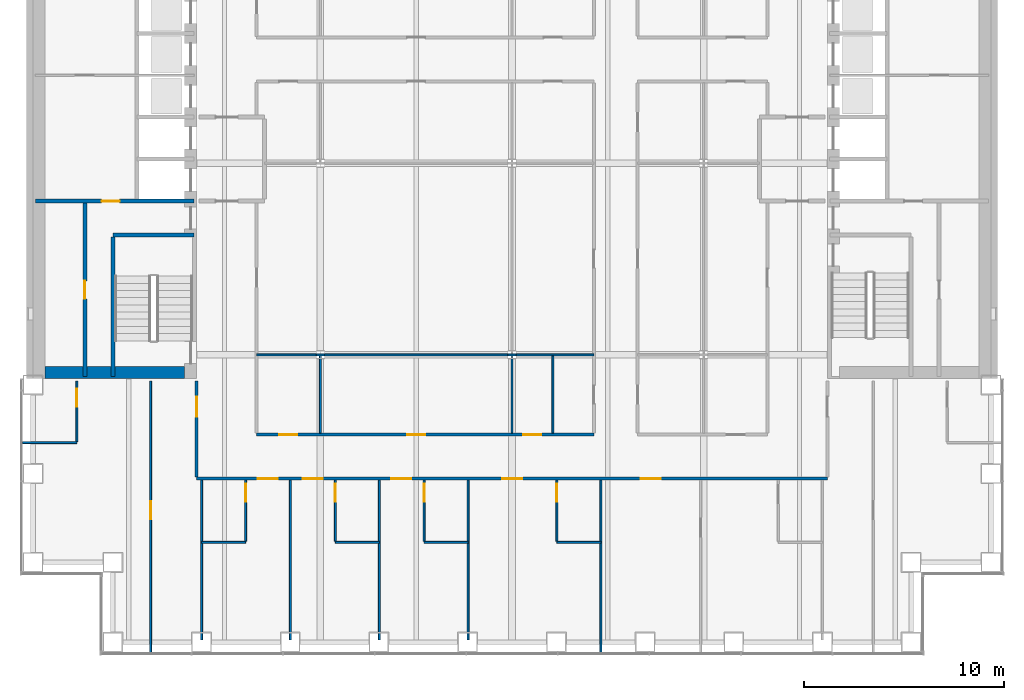
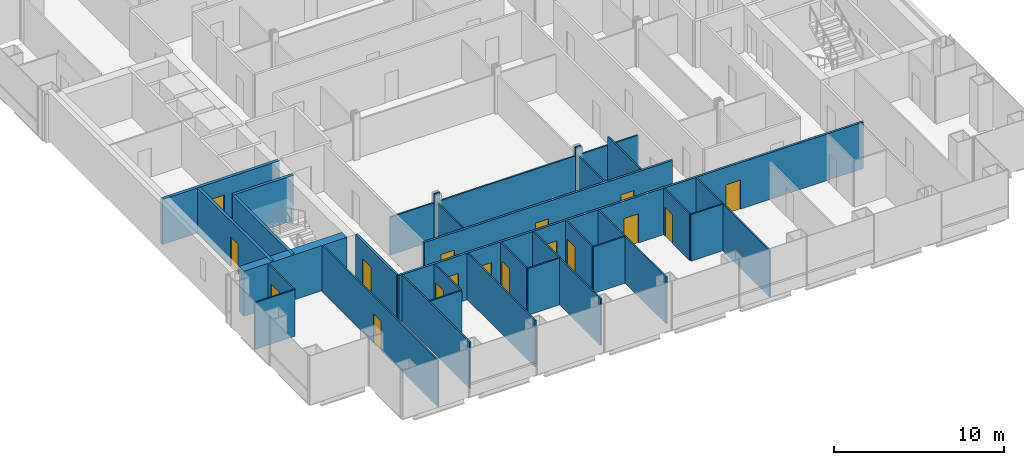
# One storey, part 16 of 23: 32 walls, 17 doors, 17 openings.
"""IFC4 building model written with IfcOpenShell, lengths in metres."""

from ifc_helpers import new_model, si_unit, direction, frame, frame_2d, origin, place, context, subcontext, project, spatial, rectangle, extrude, material, layer, layer_set, type_object, element, fill, save


model = new_model("IFC4")

# Units and contexts
model_context = context("Model", 3, precision=1e-05, world=origin(), true_north=direction((0.0, 1.0)))
body_context = subcontext(model_context, "Body", "Model", "MODEL_VIEW")
ifc_project = project(units=[si_unit("LENGTHUNIT", "METRE"), si_unit("AREAUNIT", "SQUARE_METRE"), si_unit("VOLUMEUNIT", "CUBIC_METRE"), si_unit("PLANEANGLEUNIT", "RADIAN"), si_unit("MASSUNIT", "GRAM", prefix="KILO")], contexts=[model_context])

# Site, building, storey
site_placement = place(None, origin())
site = spatial("IfcSite", under=ifc_project, at=site_placement, CompositionType="ELEMENT")
building_placement = place(site_placement, origin())
building = spatial("IfcBuilding", under=site, at=building_placement, Name="Cobrizo Arcos Hotel Tower", CompositionType="ELEMENT")
storey_placement = place(building_placement, frame((0.0, 0.0, 49.5)))
storey = spatial("IfcBuildingStorey", under=building, at=storey_placement, Name="L10", CompositionType="ELEMENT", Elevation=49.5)

# Wall, openings, doors
ifc_material_1 = material(Name="Gypsum board partition")
ifc_layer_1 = layer(ifc_material_1, 0.14990234375)
ifc_layer_set_1 = layer_set([ifc_layer_1], Name="Corridor wall EI 60 150")
wall_type_1 = type_object("IfcWallType", Name="Corridor wall EI 60 150", PredefinedType="PARTITIONING", material=ifc_layer_set_1)
wall_1_placement = place(storey_placement, frame((-15.800048828125, -15.800048828125, 0.0), z_axis=(0.0, 0.0, 1.0), x_axis=(1.0, 0.0, 0.0)))
wall_1 = element("IfcWall", 1, at=wall_1_placement, inside=storey, type_object=wall_type_1, Name="Partition 006", PredefinedType="PARTITIONING", context=body_context, shape_type="SweptSolid", body=[
    extrude(rectangle(XDim=31.60009765625, YDim=0.14990234375, at=frame_2d((15.800048828125, 0.0))), origin(), (0.0, 0.0, 1.0), 3.35009765625),
])
opening_1_placement = place(wall_1_placement, frame((3.06689453125, 0.0, 0.0)))
opening_1 = element("IfcOpeningElement", 2, at=opening_1_placement, cuts=wall_1, Name="Opening GD-07", PredefinedType="OPENING", context=body_context, shape_type="SweptSolid", body=[
    extrude(rectangle(XDim=1.0, YDim=2.10009765625, at=frame_2d((0.5, 1.050048828125))), frame((0.0, 0.0869140625, 0.0), z_axis=(0.0, -1.0, 0.0), x_axis=(1.0, 0.0, 0.0)), (0.0, 0.0, 1.0), 0.173828125),
])
opening_2_placement = place(wall_1_placement, frame((5.31103515625, 0.0, 0.0)))
opening_2 = element("IfcOpeningElement", 3, at=opening_2_placement, cuts=wall_1, Name="Opening GD-08", PredefinedType="OPENING", context=body_context, shape_type="SweptSolid", body=[
    extrude(rectangle(XDim=1.0, YDim=2.10009765625, at=frame_2d((0.5, 1.050048828125))), frame((0.0, 0.0869140625, 0.0), z_axis=(0.0, -1.0, 0.0), x_axis=(1.0, 0.0, 0.0)), (0.0, 0.0, 1.0), 0.173828125),
])
opening_3_placement = place(wall_1_placement, frame((9.756103515625, 0.0, 0.0)))
opening_3 = element("IfcOpeningElement", 4, at=opening_3_placement, cuts=wall_1, Name="Opening GD-09", PredefinedType="OPENING", context=body_context, shape_type="SweptSolid", body=[
    extrude(rectangle(XDim=1.0, YDim=2.10009765625, at=frame_2d((0.5, 1.050048828125))), frame((0.0, 0.0869140625, 0.0), z_axis=(0.0, -1.0, 0.0), x_axis=(1.0, 0.0, 0.0)), (0.0, 0.0, 1.0), 0.173828125),
])
opening_4_placement = place(wall_1_placement, frame((15.31103515625, 0.0, 0.0)))
opening_4 = element("IfcOpeningElement", 5, at=opening_4_placement, cuts=wall_1, Name="Opening GD-10", PredefinedType="OPENING", context=body_context, shape_type="SweptSolid", body=[
    extrude(rectangle(XDim=1.0, YDim=2.10009765625, at=frame_2d((0.5, 1.050048828125))), frame((0.0, 0.0869140625, 0.0), z_axis=(0.0, -1.0, 0.0), x_axis=(1.0, 0.0, 0.0)), (0.0, 0.0, 1.0), 0.173828125),
])
opening_5_placement = place(wall_1_placement, frame((22.2451171875, 0.0, 0.0)))
opening_5 = element("IfcOpeningElement", 6, at=opening_5_placement, cuts=wall_1, Name="Opening GD-11", PredefinedType="OPENING", context=body_context, shape_type="SweptSolid", body=[
    extrude(rectangle(XDim=1.0, YDim=2.10009765625, at=frame_2d((0.5, 1.050048828125))), frame((0.0, 0.0869140625, 0.0), z_axis=(0.0, -1.0, 0.0), x_axis=(1.0, 0.0, 0.0)), (0.0, 0.0, 1.0), 0.173828125),
])
ifc_material_2 = material(Name="Timber door leaf", Category="wood")
door_type_1 = type_object("IfcDoorType", Name="Guest room door FD30S 1000x2100", OperationType="SINGLE_SWING_LEFT", PredefinedType="DOOR", material=ifc_material_2)
door_1_placement = place(opening_1_placement, origin())
door_1 = element("IfcDoor", 7, at=door_1_placement, inside=storey, type_object=door_type_1, Name="Door GD-07", OperationType="SINGLE_SWING_LEFT", OverallHeight=2.10009765625, OverallWidth=1.0, PredefinedType="DOOR", context=body_context, shape_type="SweptSolid", body=[
    extrude(rectangle(XDim=1.0, YDim=2.10009765625, at=frame_2d((0.5, 1.050048828125))), frame((0.0, 0.02490234375, 0.0), z_axis=(0.0, -1.0, 0.0), x_axis=(1.0, 0.0, 0.0)), (0.0, 0.0, 1.0), 0.050048828125),
])
fill(opening_1, door_1)
door_2_placement = place(opening_2_placement, origin())
door_2 = element("IfcDoor", 8, at=door_2_placement, inside=storey, type_object=door_type_1, Name="Door GD-08", OperationType="SINGLE_SWING_LEFT", OverallHeight=2.10009765625, OverallWidth=1.0, PredefinedType="DOOR", context=body_context, shape_type="SweptSolid", body=[
    extrude(rectangle(XDim=1.0, YDim=2.10009765625, at=frame_2d((0.5, 1.050048828125))), frame((0.0, 0.02490234375, 0.0), z_axis=(0.0, -1.0, 0.0), x_axis=(1.0, 0.0, 0.0)), (0.0, 0.0, 1.0), 0.050048828125),
])
fill(opening_2, door_2)
door_3_placement = place(opening_3_placement, origin())
door_3 = element("IfcDoor", 9, at=door_3_placement, inside=storey, type_object=door_type_1, Name="Door GD-09", OperationType="SINGLE_SWING_LEFT", OverallHeight=2.10009765625, OverallWidth=1.0, PredefinedType="DOOR", context=body_context, shape_type="SweptSolid", body=[
    extrude(rectangle(XDim=1.0, YDim=2.10009765625, at=frame_2d((0.5, 1.050048828125))), frame((0.0, 0.02490234375, 0.0), z_axis=(0.0, -1.0, 0.0), x_axis=(1.0, 0.0, 0.0)), (0.0, 0.0, 1.0), 0.050048828125),
])
fill(opening_3, door_3)
door_4_placement = place(opening_4_placement, origin())
door_4 = element("IfcDoor", 10, at=door_4_placement, inside=storey, type_object=door_type_1, Name="Door GD-10", OperationType="SINGLE_SWING_RIGHT", OverallHeight=2.10009765625, OverallWidth=1.0, PredefinedType="DOOR", context=body_context, shape_type="SweptSolid", body=[
    extrude(rectangle(XDim=1.0, YDim=2.10009765625, at=frame_2d((0.5, 1.050048828125))), frame((0.0, 0.02490234375, 0.0), z_axis=(0.0, -1.0, 0.0), x_axis=(1.0, 0.0, 0.0)), (0.0, 0.0, 1.0), 0.050048828125),
])
fill(opening_4, door_4)
door_5_placement = place(opening_5_placement, origin())
door_5 = element("IfcDoor", 11, at=door_5_placement, inside=storey, type_object=door_type_1, Name="Door GD-11", OperationType="SINGLE_SWING_LEFT", OverallHeight=2.10009765625, OverallWidth=1.0, PredefinedType="DOOR", context=body_context, shape_type="SweptSolid", body=[
    extrude(rectangle(XDim=1.0, YDim=2.10009765625, at=frame_2d((0.5, 1.050048828125))), frame((0.0, 0.02490234375, 0.0), z_axis=(0.0, -1.0, 0.0), x_axis=(1.0, 0.0, 0.0)), (0.0, 0.0, 1.0), 0.050048828125),
])
fill(opening_5, door_5)

wall_2_placement = place(storey_placement, frame((-12.800048828125, -13.60009765625, 0.0), z_axis=(0.0, 0.0, 1.0), x_axis=(1.0, 0.0, 0.0)))
wall_2 = element("IfcWall", 12, at=wall_2_placement, inside=storey, type_object=wall_type_1, Name="Partition 009", PredefinedType="PARTITIONING", context=body_context, shape_type="SweptSolid", body=[
    extrude(rectangle(XDim=16.900146484375, YDim=0.14990234375, at=frame_2d((8.4501953125, 0.0))), origin(), (0.0, 0.0, 1.0), 3.35009765625),
])
opening_6_placement = place(wall_2_placement, frame((1.14990234375, 0.0, 0.0)))
opening_6 = element("IfcOpeningElement", 13, at=opening_6_placement, cuts=wall_2, Name="Opening RD-16", PredefinedType="OPENING", context=body_context, shape_type="SweptSolid", body=[
    extrude(rectangle(XDim=0.89990234375, YDim=2.10009765625, at=frame_2d((0.449951171875, 1.050048828125))), frame((0.0, 0.0869140625, 0.0), z_axis=(0.0, -1.0, 0.0), x_axis=(1.0, 0.0, 0.0)), (0.0, 0.0, 1.0), 0.173828125),
])
opening_7_placement = place(wall_2_placement, frame((13.375, 0.0, 0.0)))
opening_7 = element("IfcOpeningElement", 14, at=opening_7_placement, cuts=wall_2, Name="Opening ED-16", PredefinedType="OPENING", context=body_context, shape_type="SweptSolid", body=[
    extrude(rectangle(XDim=0.89990234375, YDim=2.10009765625, at=frame_2d((0.449951171875, 1.050048828125))), frame((0.0, 0.0869140625, 0.0), z_axis=(0.0, -1.0, 0.0), x_axis=(1.0, 0.0, 0.0)), (0.0, 0.0, 1.0), 0.173828125),
])
opening_8_placement = place(wall_2_placement, frame((7.550048828125, 0.0, 0.0)))
opening_8 = element("IfcOpeningElement", 15, at=opening_8_placement, cuts=wall_2, Name="Opening RD-28", PredefinedType="OPENING", context=body_context, shape_type="SweptSolid", body=[
    extrude(rectangle(XDim=0.89990234375, YDim=2.10009765625, at=frame_2d((0.449951171875, 1.050048828125))), frame((0.0, 0.0869140625, 0.0), z_axis=(0.0, -1.0, 0.0), x_axis=(1.0, 0.0, 0.0)), (0.0, 0.0, 1.0), 0.173828125),
])
door_type_2 = type_object("IfcDoorType", Name="En-suite door 900x2100", OperationType="SINGLE_SWING_LEFT", PredefinedType="DOOR", material=ifc_material_2)
door_6_placement = place(opening_7_placement, origin())
door_6 = element("IfcDoor", 16, at=door_6_placement, inside=storey, type_object=door_type_2, Name="Door ED-16", OperationType="SINGLE_SWING_LEFT", OverallHeight=2.10009765625, OverallWidth=0.89990234375, PredefinedType="DOOR", context=body_context, shape_type="SweptSolid", body=[
    extrude(rectangle(XDim=0.89990234375, YDim=2.10009765625, at=frame_2d((0.449951171875, 1.050048828125))), frame((0.0, 0.02490234375, 0.0), z_axis=(0.0, -1.0, 0.0), x_axis=(1.0, 0.0, 0.0)), (0.0, 0.0, 1.0), 0.050048828125),
])
fill(opening_7, door_6)
door_type_3 = type_object("IfcDoorType", Name="Room door FD30 900x2100", OperationType="SINGLE_SWING_LEFT", PredefinedType="DOOR", material=ifc_material_2)
door_7_placement = place(opening_6_placement, origin())
door_7 = element("IfcDoor", 17, at=door_7_placement, inside=storey, type_object=door_type_3, Name="Door RD-16", OperationType="SINGLE_SWING_RIGHT", OverallHeight=2.10009765625, OverallWidth=0.89990234375, PredefinedType="DOOR", context=body_context, shape_type="SweptSolid", body=[
    extrude(rectangle(XDim=0.89990234375, YDim=2.10009765625, at=frame_2d((0.449951171875, 1.050048828125))), frame((0.0, 0.02490234375, 0.0), z_axis=(0.0, -1.0, 0.0), x_axis=(1.0, 0.0, 0.0)), (0.0, 0.0, 1.0), 0.050048828125),
])
fill(opening_6, door_7)
door_8_placement = place(opening_8_placement, origin())
door_8 = element("IfcDoor", 18, at=door_8_placement, inside=storey, type_object=door_type_3, Name="Door RD-28", OperationType="SINGLE_SWING_LEFT", OverallHeight=2.10009765625, OverallWidth=0.89990234375, PredefinedType="DOOR", context=body_context, shape_type="SweptSolid", body=[
    extrude(rectangle(XDim=0.89990234375, YDim=2.10009765625, at=frame_2d((0.449951171875, 1.050048828125))), frame((0.0, 0.02490234375, 0.0), z_axis=(0.0, -1.0, 0.0), x_axis=(1.0, 0.0, 0.0)), (0.0, 0.0, 1.0), 0.050048828125),
])
fill(opening_8, door_8)

# Wall, opening, door
wall_3_placement = place(storey_placement, frame((-15.800048828125, -15.72509765625, 0.0), z_axis=(0.0, 0.0, 1.0), x_axis=(0.0, 1.0, 0.0)))
wall_3 = element("IfcWall", 19, at=wall_3_placement, inside=storey, type_object=wall_type_1, Name="Partition 072", PredefinedType="PARTITIONING", context=body_context, shape_type="SweptSolid", body=[
    extrude(rectangle(XDim=4.80517578125, YDim=0.14990234375, at=frame_2d((2.402587890625, 0.0))), origin(), (0.0, 0.0, 1.0), 3.35009765625),
])
opening_9_placement = place(wall_3_placement, frame((3.02490234375, 0.0, 0.0)))
opening_9 = element("IfcOpeningElement", 20, at=opening_9_placement, cuts=wall_3, Name="Opening GD-12", PredefinedType="OPENING", context=body_context, shape_type="SweptSolid", body=[
    extrude(rectangle(XDim=1.0, YDim=2.10009765625, at=frame_2d((0.5, 1.050048828125))), frame((0.0, 0.0869140625, 0.0), z_axis=(0.0, -1.0, 0.0), x_axis=(1.0, 0.0, 0.0)), (0.0, 0.0, 1.0), 0.173828125),
])
door_9_placement = place(opening_9_placement, origin())
door_9 = element("IfcDoor", 21, at=door_9_placement, inside=storey, type_object=door_type_1, Name="Door GD-12", OperationType="SINGLE_SWING_LEFT", OverallHeight=2.10009765625, OverallWidth=1.0, PredefinedType="DOOR", context=body_context, shape_type="SweptSolid", body=[
    extrude(rectangle(XDim=1.0, YDim=2.10009765625, at=frame_2d((0.5, 1.050048828125))), frame((0.0, 0.02490234375, 0.0), z_axis=(0.0, -1.0, 0.0), x_axis=(1.0, 0.0, 0.0)), (0.0, 0.0, 1.0), 0.050048828125),
])
fill(opening_9, door_9)

# Walls
ifc_layer_2 = layer(ifc_material_1, 0.10009765625)
ifc_layer_set_2 = layer_set([ifc_layer_2], Name="Partition EI 30 100")
wall_type_2 = type_object("IfcWallType", Name="Partition EI 30 100", PredefinedType="PARTITIONING", material=ifc_layer_set_2)
wall_4_placement = place(storey_placement, frame((-15.550048828125, -19.0, 0.0), z_axis=(0.0, 0.0, 1.0), x_axis=(1.0, 0.0, 0.0)))
element("IfcWall", 22, at=wall_4_placement, inside=storey, type_object=wall_type_2, Name="Partition 001", PredefinedType="PARTITIONING", context=body_context, shape_type="SweptSolid", body=[
    extrude(rectangle(XDim=2.199951171875, YDim=0.10009765625, at=frame_2d((1.10009765625, 0.0))), origin(), (0.0, 0.0, 1.0), 3.35009765625),
])
wall_5_placement = place(storey_placement, frame((-8.85009765625, -19.0, 0.0), z_axis=(0.0, 0.0, 1.0), x_axis=(1.0, 0.0, 0.0)))
element("IfcWall", 23, at=wall_5_placement, inside=storey, type_object=wall_type_2, Name="Partition 002", PredefinedType="PARTITIONING", context=body_context, shape_type="SweptSolid", body=[
    extrude(rectangle(XDim=2.2001953125, YDim=0.10009765625, at=frame_2d((1.10009765625, 0.0))), origin(), (0.0, 0.0, 1.0), 3.35009765625),
])
for number, where, z_axis, x_axis, name in (
    (24, (-4.39990234375, -19.0, 0.0), (0.0, 0.0, 1.0), (1.0, 0.0, 0.0), "Partition 003"),
    (25, (2.25, -19.0, 0.0), (0.0, 0.0, 1.0), (1.0, 0.0, 0.0), "Partition 004"),
):
    element("IfcWall", number, at=place(storey_placement, frame(where, z_axis=z_axis, x_axis=x_axis)), inside=storey, type_object=wall_type_2, Name=name, PredefinedType="PARTITIONING", context=body_context, shape_type="SweptSolid", body=[
        extrude(rectangle(XDim=2.199951171875, YDim=0.10009765625, at=frame_2d((1.10009765625, 0.0))), origin(), (0.0, 0.0, 1.0), 3.35009765625),
    ])
wall_6_placement = place(storey_placement, frame((-24.530029296875, -14.0, 0.0), z_axis=(0.0, 0.0, 1.0), x_axis=(1.0, 0.0, 0.0)))
element("IfcWall", 26, at=wall_6_placement, inside=storey, type_object=wall_type_2, Name="Partition 007", PredefinedType="PARTITIONING", context=body_context, shape_type="SweptSolid", body=[
    extrude(rectangle(XDim=2.72998046875, YDim=0.10009765625, at=frame_2d((1.364990234375, 0.0))), origin(), (0.0, 0.0, 1.0), 3.35009765625),
])
wall_7_placement = place(storey_placement, frame((-12.800048828125, -9.60009765625, 0.0), z_axis=(0.0, 0.0, 1.0), x_axis=(1.0, 0.0, 0.0)))
element("IfcWall", 27, at=wall_7_placement, inside=storey, type_object=wall_type_2, Name="Partition 011", PredefinedType="PARTITIONING", context=body_context, shape_type="SweptSolid", body=[
    extrude(rectangle(XDim=2.99609375, YDim=0.10009765625, at=frame_2d((1.498046875, 0.0))), origin(), (0.0, 0.0, 1.0), 2.72802734375),
])
wall_8_placement = place(storey_placement, frame((-9.803955078125, -9.60009765625, 0.0), z_axis=(0.0, 0.0, 1.0), x_axis=(1.0, 0.0, 0.0)))
element("IfcWall", 28, at=wall_8_placement, inside=storey, type_object=wall_type_2, Name="Partition 012", PredefinedType="PARTITIONING", context=body_context, shape_type="SweptSolid", body=[
    extrude(rectangle(XDim=0.407958984375, YDim=0.10009765625, at=frame_2d((0.2041015625, 0.0))), origin(), (0.0, 0.0, 1.0), 3.35009765625),
])
wall_9_placement = place(storey_placement, frame((-9.39599609375, -9.60009765625, 0.0), z_axis=(0.0, 0.0, 1.0), x_axis=(1.0, 0.0, 0.0)))
element("IfcWall", 29, at=wall_9_placement, inside=storey, type_object=wall_type_2, Name="Partition 013", PredefinedType="PARTITIONING", context=body_context, shape_type="SweptSolid", body=[
    extrude(rectangle(XDim=9.19189453125, YDim=0.10009765625, at=frame_2d((4.595947265625, 0.0))), origin(), (0.0, 0.0, 1.0), 2.72802734375),
])
wall_10_placement = place(storey_placement, frame((-0.2041015625, -9.60009765625, 0.0), z_axis=(0.0, 0.0, 1.0), x_axis=(1.0, 0.0, 0.0)))
element("IfcWall", 30, at=wall_10_placement, inside=storey, type_object=wall_type_2, Name="Partition 014", PredefinedType="PARTITIONING", context=body_context, shape_type="SweptSolid", body=[
    extrude(rectangle(XDim=0.408203125, YDim=0.10009765625, at=frame_2d((0.2041015625, 0.0))), origin(), (0.0, 0.0, 1.0), 3.35009765625),
])
wall_11_placement = place(storey_placement, frame((0.2041015625, -9.60009765625, 0.0), z_axis=(0.0, 0.0, 1.0), x_axis=(1.0, 0.0, 0.0)))
element("IfcWall", 31, at=wall_11_placement, inside=storey, type_object=wall_type_2, Name="Partition 015", PredefinedType="PARTITIONING", context=body_context, shape_type="SweptSolid", body=[
    extrude(rectangle(XDim=3.89599609375, YDim=0.10009765625, at=frame_2d((1.947998046875, 0.0))), origin(), (0.0, 0.0, 1.0), 2.72802734375),
])

# Wall, opening, door
wall_12_placement = place(storey_placement, frame((-21.800048828125, -13.949951171875, 0.0), z_axis=(0.0, 0.0, 1.0), x_axis=(0.0, 1.0, 0.0)))
wall_12 = element("IfcWall", 32, at=wall_12_placement, inside=storey, type_object=wall_type_2, Name="Partition 064", PredefinedType="PARTITIONING", context=body_context, shape_type="SweptSolid", body=[
    extrude(rectangle(XDim=3.030029296875, YDim=0.10009765625, at=frame_2d((1.51513671875, 0.0))), origin(), (0.0, 0.0, 1.0), 3.35009765625),
])
opening_10_placement = place(wall_12_placement, frame((1.739990234375, 0.0, 0.0)))
opening_10 = element("IfcOpeningElement", 33, at=opening_10_placement, cuts=wall_12, Name="Opening ED-12", PredefinedType="OPENING", context=body_context, shape_type="SweptSolid", body=[
    extrude(rectangle(XDim=0.89990234375, YDim=2.10009765625, at=frame_2d((0.449951171875, 1.050048828125))), frame((0.0, 0.06201171875, 0.0), z_axis=(0.0, -1.0, 0.0), x_axis=(1.0, 0.0, 0.0)), (0.0, 0.0, 1.0), 0.1240234375),
])
door_10_placement = place(opening_10_placement, origin())
door_10 = element("IfcDoor", 34, at=door_10_placement, inside=storey, type_object=door_type_2, Name="Door ED-12", OperationType="SINGLE_SWING_LEFT", OverallHeight=2.10009765625, OverallWidth=0.89990234375, PredefinedType="DOOR", context=body_context, shape_type="SweptSolid", body=[
    extrude(rectangle(XDim=0.89990234375, YDim=2.10009765625, at=frame_2d((0.449951171875, 1.050048828125))), frame((0.0, 0.02490234375, 0.0), z_axis=(0.0, -1.0, 0.0), x_axis=(1.0, 0.0, 0.0)), (0.0, 0.0, 1.0), 0.050048828125),
])
fill(opening_10, door_10)

wall_13_placement = place(storey_placement, frame((-18.10009765625, -24.530029296875, 0.0), z_axis=(0.0, 0.0, 1.0), x_axis=(0.0, 1.0, 0.0)))
wall_13 = element("IfcWall", 35, at=wall_13_placement, inside=storey, type_object=wall_type_2, Name="Partition 071", PredefinedType="PARTITIONING", context=body_context, shape_type="SweptSolid", body=[
    extrude(rectangle(XDim=13.610107421875, YDim=0.10009765625, at=frame_2d((6.80517578125, 0.0))), origin(), (0.0, 0.0, 1.0), 3.35009765625),
])
opening_11_placement = place(wall_13_placement, frame((6.679931640625, 0.0, 0.0)))
opening_11 = element("IfcOpeningElement", 36, at=opening_11_placement, cuts=wall_13, Name="Opening RD-08", PredefinedType="OPENING", context=body_context, shape_type="SweptSolid", body=[
    extrude(rectangle(XDim=0.89990234375, YDim=2.10009765625, at=frame_2d((0.449951171875, 1.050048828125))), frame((0.0, 0.06201171875, 0.0), z_axis=(0.0, -1.0, 0.0), x_axis=(1.0, 0.0, 0.0)), (0.0, 0.0, 1.0), 0.1240234375),
])
door_11_placement = place(opening_11_placement, origin())
door_11 = element("IfcDoor", 37, at=door_11_placement, inside=storey, type_object=door_type_3, Name="Door RD-08", OperationType="SINGLE_SWING_RIGHT", OverallHeight=2.10009765625, OverallWidth=0.89990234375, PredefinedType="DOOR", context=body_context, shape_type="SweptSolid", body=[
    extrude(rectangle(XDim=0.89990234375, YDim=2.10009765625, at=frame_2d((0.449951171875, 1.050048828125))), frame((0.0, 0.02490234375, 0.0), z_axis=(0.0, -1.0, 0.0), x_axis=(1.0, 0.0, 0.0)), (0.0, 0.0, 1.0), 0.050048828125),
])
fill(opening_11, door_11)

# Wall
wall_14_placement = place(storey_placement, frame((-15.550048828125, -23.8798828125, 0.0), z_axis=(0.0, 0.0, 1.0), x_axis=(0.0, 1.0, 0.0)))
element("IfcWall", 38, at=wall_14_placement, inside=storey, type_object=wall_type_2, Name="Partition 074", PredefinedType="PARTITIONING", context=body_context, shape_type="SweptSolid", body=[
    extrude(rectangle(XDim=8.0048828125, YDim=0.10009765625, at=frame_2d((4.00244140625, 0.0))), origin(), (0.0, 0.0, 1.0), 3.35009765625),
])

# Wall, opening, door
wall_15_placement = place(storey_placement, frame((-13.35009765625, -18.949951171875, 0.0), z_axis=(0.0, 0.0, 1.0), x_axis=(0.0, 1.0, 0.0)))
wall_15 = element("IfcWall", 39, at=wall_15_placement, inside=storey, type_object=wall_type_2, Name="Partition 076", PredefinedType="PARTITIONING", context=body_context, shape_type="SweptSolid", body=[
    extrude(rectangle(XDim=3.074951171875, YDim=0.10009765625, at=frame_2d((1.53759765625, 0.0))), origin(), (0.0, 0.0, 1.0), 3.35009765625),
])
opening_12_placement = place(wall_15_placement, frame((1.99609375, 0.0, 0.0)))
opening_12 = element("IfcOpeningElement", 40, at=opening_12_placement, cuts=wall_15, Name="Opening ED-07", PredefinedType="OPENING", context=body_context, shape_type="SweptSolid", body=[
    extrude(rectangle(XDim=0.89990234375, YDim=2.10009765625, at=frame_2d((0.449951171875, 1.050048828125))), frame((0.0, 0.06201171875, 0.0), z_axis=(0.0, -1.0, 0.0), x_axis=(1.0, 0.0, 0.0)), (0.0, 0.0, 1.0), 0.1240234375),
])
door_12_placement = place(opening_12_placement, origin())
door_12 = element("IfcDoor", 41, at=door_12_placement, inside=storey, type_object=door_type_2, Name="Door ED-07", OperationType="SINGLE_SWING_LEFT", OverallHeight=2.10009765625, OverallWidth=0.89990234375, PredefinedType="DOOR", context=body_context, shape_type="SweptSolid", body=[
    extrude(rectangle(XDim=0.89990234375, YDim=2.10009765625, at=frame_2d((0.449951171875, 1.050048828125))), frame((0.0, 0.02490234375, 0.0), z_axis=(0.0, -1.0, 0.0), x_axis=(1.0, 0.0, 0.0)), (0.0, 0.0, 1.0), 0.050048828125),
])
fill(opening_12, door_12)

# Walls
wall_16_placement = place(storey_placement, frame((-11.10009765625, -23.8798828125, 0.0), z_axis=(0.0, 0.0, 1.0), x_axis=(0.0, 1.0, 0.0)))
element("IfcWall", 42, at=wall_16_placement, inside=storey, type_object=wall_type_2, Name="Partition 083", PredefinedType="PARTITIONING", context=body_context, shape_type="SweptSolid", body=[
    extrude(rectangle(XDim=8.0048828125, YDim=0.10009765625, at=frame_2d((4.00244140625, 0.0))), origin(), (0.0, 0.0, 1.0), 3.35009765625),
])
wall_17_placement = place(storey_placement, frame((-9.60009765625, -13.52490234375, 0.0), z_axis=(0.0, 0.0, 1.0), x_axis=(0.0, 1.0, 0.0)))
element("IfcWall", 43, at=wall_17_placement, inside=storey, type_object=wall_type_2, Name="Partition 084", PredefinedType="PARTITIONING", context=body_context, shape_type="SweptSolid", body=[
    extrude(rectangle(XDim=3.875, YDim=0.10009765625, at=frame_2d((1.9375, 0.0))), origin(), (0.0, 0.0, 1.0), 2.72802734375),
])

# Wall, opening, door
wall_18_placement = place(storey_placement, frame((-8.85009765625, -18.949951171875, 0.0), z_axis=(0.0, 0.0, 1.0), x_axis=(0.0, 1.0, 0.0)))
wall_18 = element("IfcWall", 44, at=wall_18_placement, inside=storey, type_object=wall_type_2, Name="Partition 089", PredefinedType="PARTITIONING", context=body_context, shape_type="SweptSolid", body=[
    extrude(rectangle(XDim=3.074951171875, YDim=0.10009765625, at=frame_2d((1.53759765625, 0.0))), origin(), (0.0, 0.0, 1.0), 3.35009765625),
])
opening_13_placement = place(wall_18_placement, frame((1.99609375, 0.0, 0.0)))
opening_13 = element("IfcOpeningElement", 45, at=opening_13_placement, cuts=wall_18, Name="Opening ED-08", PredefinedType="OPENING", context=body_context, shape_type="SweptSolid", body=[
    extrude(rectangle(XDim=0.89990234375, YDim=2.10009765625, at=frame_2d((0.449951171875, 1.050048828125))), frame((0.0, 0.06201171875, 0.0), z_axis=(0.0, -1.0, 0.0), x_axis=(1.0, 0.0, 0.0)), (0.0, 0.0, 1.0), 0.1240234375),
])
door_13_placement = place(opening_13_placement, origin())
door_13 = element("IfcDoor", 46, at=door_13_placement, inside=storey, type_object=door_type_2, Name="Door ED-08", OperationType="SINGLE_SWING_LEFT", OverallHeight=2.10009765625, OverallWidth=0.89990234375, PredefinedType="DOOR", context=body_context, shape_type="SweptSolid", body=[
    extrude(rectangle(XDim=0.89990234375, YDim=2.10009765625, at=frame_2d((0.449951171875, 1.050048828125))), frame((0.0, 0.02490234375, 0.0), z_axis=(0.0, -1.0, 0.0), x_axis=(1.0, 0.0, 0.0)), (0.0, 0.0, 1.0), 0.050048828125),
])
fill(opening_13, door_13)

# Wall
wall_19_placement = place(storey_placement, frame((-6.64990234375, -23.8798828125, 0.0), z_axis=(0.0, 0.0, 1.0), x_axis=(0.0, 1.0, 0.0)))
element("IfcWall", 47, at=wall_19_placement, inside=storey, type_object=wall_type_2, Name="Partition 091", PredefinedType="PARTITIONING", context=body_context, shape_type="SweptSolid", body=[
    extrude(rectangle(XDim=8.0048828125, YDim=0.10009765625, at=frame_2d((4.00244140625, 0.0))), origin(), (0.0, 0.0, 1.0), 3.35009765625),
])

# Wall, opening, door
wall_20_placement = place(storey_placement, frame((-4.39990234375, -18.949951171875, 0.0), z_axis=(0.0, 0.0, 1.0), x_axis=(0.0, 1.0, 0.0)))
wall_20 = element("IfcWall", 48, at=wall_20_placement, inside=storey, type_object=wall_type_2, Name="Partition 093", PredefinedType="PARTITIONING", context=body_context, shape_type="SweptSolid", body=[
    extrude(rectangle(XDim=3.074951171875, YDim=0.10009765625, at=frame_2d((1.53759765625, 0.0))), origin(), (0.0, 0.0, 1.0), 3.35009765625),
])
opening_14_placement = place(wall_20_placement, frame((1.99609375, 0.0, 0.0)))
opening_14 = element("IfcOpeningElement", 49, at=opening_14_placement, cuts=wall_20, Name="Opening ED-09", PredefinedType="OPENING", context=body_context, shape_type="SweptSolid", body=[
    extrude(rectangle(XDim=0.89990234375, YDim=2.10009765625, at=frame_2d((0.449951171875, 1.050048828125))), frame((0.0, 0.06201171875, 0.0), z_axis=(0.0, -1.0, 0.0), x_axis=(1.0, 0.0, 0.0)), (0.0, 0.0, 1.0), 0.1240234375),
])
door_14_placement = place(opening_14_placement, origin())
door_14 = element("IfcDoor", 50, at=door_14_placement, inside=storey, type_object=door_type_2, Name="Door ED-09", OperationType="SINGLE_SWING_RIGHT", OverallHeight=2.10009765625, OverallWidth=0.89990234375, PredefinedType="DOOR", context=body_context, shape_type="SweptSolid", body=[
    extrude(rectangle(XDim=0.89990234375, YDim=2.10009765625, at=frame_2d((0.449951171875, 1.050048828125))), frame((0.0, 0.02490234375, 0.0), z_axis=(0.0, -1.0, 0.0), x_axis=(1.0, 0.0, 0.0)), (0.0, 0.0, 1.0), 0.050048828125),
])
fill(opening_14, door_14)

# Walls
wall_21_placement = place(storey_placement, frame((-2.199951171875, -23.8798828125, 0.0), z_axis=(0.0, 0.0, 1.0), x_axis=(0.0, 1.0, 0.0)))
element("IfcWall", 51, at=wall_21_placement, inside=storey, type_object=wall_type_2, Name="Partition 095", PredefinedType="PARTITIONING", context=body_context, shape_type="SweptSolid", body=[
    extrude(rectangle(XDim=8.0048828125, YDim=0.10009765625, at=frame_2d((4.00244140625, 0.0))), origin(), (0.0, 0.0, 1.0), 3.35009765625),
])
wall_22_placement = place(storey_placement, frame((0.0, -13.52490234375, 0.0), z_axis=(0.0, 0.0, 1.0), x_axis=(0.0, 1.0, 0.0)))
element("IfcWall", 52, at=wall_22_placement, inside=storey, type_object=wall_type_2, Name="Partition 096", PredefinedType="PARTITIONING", context=body_context, shape_type="SweptSolid", body=[
    extrude(rectangle(XDim=3.875, YDim=0.10009765625, at=frame_2d((1.9375, 0.0))), origin(), (0.0, 0.0, 1.0), 2.72802734375),
])
wall_23_placement = place(storey_placement, frame((2.050048828125, -13.52490234375, 0.0), z_axis=(0.0, 0.0, 1.0), x_axis=(0.0, 1.0, 0.0)))
element("IfcWall", 53, at=wall_23_placement, inside=storey, type_object=wall_type_2, Name="Partition 102", PredefinedType="PARTITIONING", context=body_context, shape_type="SweptSolid", body=[
    extrude(rectangle(XDim=3.875, YDim=0.10009765625, at=frame_2d((1.9375, 0.0))), origin(), (0.0, 0.0, 1.0), 3.35009765625),
])

# Wall, opening, door
wall_24_placement = place(storey_placement, frame((2.25, -18.949951171875, 0.0), z_axis=(0.0, 0.0, 1.0), x_axis=(0.0, 1.0, 0.0)))
wall_24 = element("IfcWall", 54, at=wall_24_placement, inside=storey, type_object=wall_type_2, Name="Partition 103", PredefinedType="PARTITIONING", context=body_context, shape_type="SweptSolid", body=[
    extrude(rectangle(XDim=3.074951171875, YDim=0.10009765625, at=frame_2d((1.53759765625, 0.0))), origin(), (0.0, 0.0, 1.0), 3.35009765625),
])
opening_15_placement = place(wall_24_placement, frame((1.99609375, 0.0, 0.0)))
opening_15 = element("IfcOpeningElement", 55, at=opening_15_placement, cuts=wall_24, Name="Opening ED-10", PredefinedType="OPENING", context=body_context, shape_type="SweptSolid", body=[
    extrude(rectangle(XDim=0.89990234375, YDim=2.10009765625, at=frame_2d((0.449951171875, 1.050048828125))), frame((0.0, 0.06201171875, 0.0), z_axis=(0.0, -1.0, 0.0), x_axis=(1.0, 0.0, 0.0)), (0.0, 0.0, 1.0), 0.1240234375),
])
door_15_placement = place(opening_15_placement, origin())
door_15 = element("IfcDoor", 56, at=door_15_placement, inside=storey, type_object=door_type_2, Name="Door ED-10", OperationType="SINGLE_SWING_LEFT", OverallHeight=2.10009765625, OverallWidth=0.89990234375, PredefinedType="DOOR", context=body_context, shape_type="SweptSolid", body=[
    extrude(rectangle(XDim=0.89990234375, YDim=2.10009765625, at=frame_2d((0.449951171875, 1.050048828125))), frame((0.0, 0.02490234375, 0.0), z_axis=(0.0, -1.0, 0.0), x_axis=(1.0, 0.0, 0.0)), (0.0, 0.0, 1.0), 0.050048828125),
])
fill(opening_15, door_15)

# Walls
wall_25_placement = place(storey_placement, frame((4.449951171875, -24.530029296875, 0.0), z_axis=(0.0, 0.0, 1.0), x_axis=(0.0, 1.0, 0.0)))
element("IfcWall", 57, at=wall_25_placement, inside=storey, type_object=wall_type_2, Name="Partition 106", PredefinedType="PARTITIONING", context=body_context, shape_type="SweptSolid", body=[
    extrude(rectangle(XDim=8.655029296875, YDim=0.10009765625, at=frame_2d((4.32763671875, 0.0))), origin(), (0.0, 0.0, 1.0), 3.35009765625),
])
ifc_material_3 = material(Name="Concrete f'c 60 MPa", Category="concrete")
ifc_layer_3 = layer(ifc_material_3, 0.60009765625)
ifc_layer_set_3 = layer_set([ifc_layer_3], Name="RC core wall 600 f'c 60")
wall_type_3 = type_object("IfcWallType", Name="RC core wall 600 f'c 60", PredefinedType="SHEAR", material=ifc_layer_set_3)
wall_26_placement = place(storey_placement, frame((-23.39990234375, -10.5, 0.0), z_axis=(0.0, 0.0, 1.0), x_axis=(1.0, 0.0, 0.0)))
element("IfcWall", 58, at=wall_26_placement, inside=storey, type_object=wall_type_3, Name="Core wall CW1, west core, south end, L10", PredefinedType="SHEAR", context=body_context, shape_type="SweptSolid", body=[
    extrude(rectangle(XDim=7.0, YDim=0.60009765625, at=frame_2d((3.5, 0.0))), origin(), (0.0, 0.0, 1.0), 3.25),
])

# Wall, opening, door
ifc_layer_4 = layer(ifc_material_1, 0.199951171875)
ifc_layer_set_4 = layer_set([ifc_layer_4], Name="Shaft wall EI 120 200")
wall_type_4 = type_object("IfcWallType", Name="Shaft wall EI 120 200", PredefinedType="PARTITIONING", material=ifc_layer_set_4)
wall_27_placement = place(storey_placement, frame((-23.8798828125, -1.89990234375, 0.0), z_axis=(0.0, 0.0, 1.0), x_axis=(1.0, 0.0, 0.0)))
wall_27 = element("IfcWall", 59, at=wall_27_placement, inside=storey, type_object=wall_type_4, Name="Partition 021", PredefinedType="PARTITIONING", context=body_context, shape_type="SweptSolid", body=[
    extrude(rectangle(XDim=7.9599609375, YDim=0.199951171875, at=frame_2d((3.97998046875, 0.0))), origin(), (0.0, 0.0, 1.0), 3.25),
])
opening_16_placement = place(wall_27_placement, frame((3.320068359375, 0.0, 0.0)))
opening_16 = element("IfcOpeningElement", 60, at=opening_16_placement, cuts=wall_27, Name="Opening RD-02", PredefinedType="OPENING", context=body_context, shape_type="SweptSolid", body=[
    extrude(rectangle(XDim=0.89990234375, YDim=2.10009765625, at=frame_2d((0.449951171875, 1.050048828125))), frame((0.0, 0.112060546875, 0.0), z_axis=(0.0, -1.0, 0.0), x_axis=(1.0, 0.0, 0.0)), (0.0, 0.0, 1.0), 0.223876953125),
])
door_16_placement = place(opening_16_placement, origin())
door_16 = element("IfcDoor", 61, at=door_16_placement, inside=storey, type_object=door_type_3, Name="Door RD-02", OperationType="SINGLE_SWING_RIGHT", OverallHeight=2.10009765625, OverallWidth=0.89990234375, PredefinedType="DOOR", context=body_context, shape_type="SweptSolid", body=[
    extrude(rectangle(XDim=0.89990234375, YDim=2.10009765625, at=frame_2d((0.449951171875, 1.050048828125))), frame((0.0, 0.02490234375, 0.0), z_axis=(0.0, -1.0, 0.0), x_axis=(1.0, 0.0, 0.0)), (0.0, 0.0, 1.0), 0.050048828125),
])
fill(opening_16, door_16)

wall_28_placement = place(storey_placement, frame((-21.39990234375, -10.679931640625, 0.0), z_axis=(0.0, 0.0, 1.0), x_axis=(0.0, 1.0, 0.0)))
wall_28 = element("IfcWall", 62, at=wall_28_placement, inside=storey, type_object=wall_type_4, Name="Partition 066", PredefinedType="PARTITIONING", context=body_context, shape_type="SweptSolid", body=[
    extrude(rectangle(XDim=8.679931640625, YDim=0.199951171875, at=frame_2d((4.33984375, 0.0))), origin(), (0.0, 0.0, 1.0), 3.25),
])
opening_17_placement = place(wall_28_placement, frame((3.8798828125, 0.0, 0.0)))
opening_17 = element("IfcOpeningElement", 63, at=opening_17_placement, cuts=wall_28, Name="Opening RD-01", PredefinedType="OPENING", context=body_context, shape_type="SweptSolid", body=[
    extrude(rectangle(XDim=0.89990234375, YDim=2.10009765625, at=frame_2d((0.449951171875, 1.050048828125))), frame((0.0, 0.112060546875, 0.0), z_axis=(0.0, -1.0, 0.0), x_axis=(1.0, 0.0, 0.0)), (0.0, 0.0, 1.0), 0.223876953125),
])
door_17_placement = place(opening_17_placement, origin())
door_17 = element("IfcDoor", 64, at=door_17_placement, inside=storey, type_object=door_type_3, Name="Door RD-01", OperationType="SINGLE_SWING_LEFT", OverallHeight=2.10009765625, OverallWidth=0.89990234375, PredefinedType="DOOR", context=body_context, shape_type="SweptSolid", body=[
    extrude(rectangle(XDim=0.89990234375, YDim=2.10009765625, at=frame_2d((0.449951171875, 1.050048828125))), frame((0.0, 0.02490234375, 0.0), z_axis=(0.0, -1.0, 0.0), x_axis=(1.0, 0.0, 0.0)), (0.0, 0.0, 1.0), 0.050048828125),
])
fill(opening_17, door_17)

# Walls
ifc_material_4 = material(Name="Concrete f'c 40 MPa", Category="concrete")
ifc_layer_5 = layer(ifc_material_4, 0.199951171875)
ifc_layer_set_5 = layer_set([ifc_layer_5], Name="Stair shaft wall 200")
wall_type_5 = type_object("IfcWallType", Name="Stair shaft wall 200", PredefinedType="SHEAR", material=ifc_layer_set_5)
wall_29_placement = place(storey_placement, frame((-20.0, -3.60009765625, 0.0), z_axis=(0.0, 0.0, 1.0), x_axis=(1.0, 0.0, 0.0)))
element("IfcWall", 65, at=wall_29_placement, inside=storey, type_object=wall_type_5, Name="Stair shaft wall W", PredefinedType="SHEAR", context=body_context, shape_type="SweptSolid", body=[
    extrude(rectangle(XDim=4.080078125, YDim=0.199951171875, at=frame_2d((2.0400390625, 0.0))), origin(), (0.0, 0.0, 1.0), 3.25),
])
wall_30_placement = place(storey_placement, frame((-20.0, -10.679931640625, 0.0), z_axis=(0.0, 0.0, 1.0), x_axis=(0.0, 1.0, 0.0)))
element("IfcWall", 66, at=wall_30_placement, inside=storey, type_object=wall_type_5, Name="Stair shaft wall W", PredefinedType="SHEAR", context=body_context, shape_type="SweptSolid", body=[
    extrude(rectangle(XDim=6.97998046875, YDim=0.199951171875, at=frame_2d((3.489990234375, 0.0))), origin(), (0.0, 0.0, 1.0), 3.25),
])

save(model, "model.ifc")
